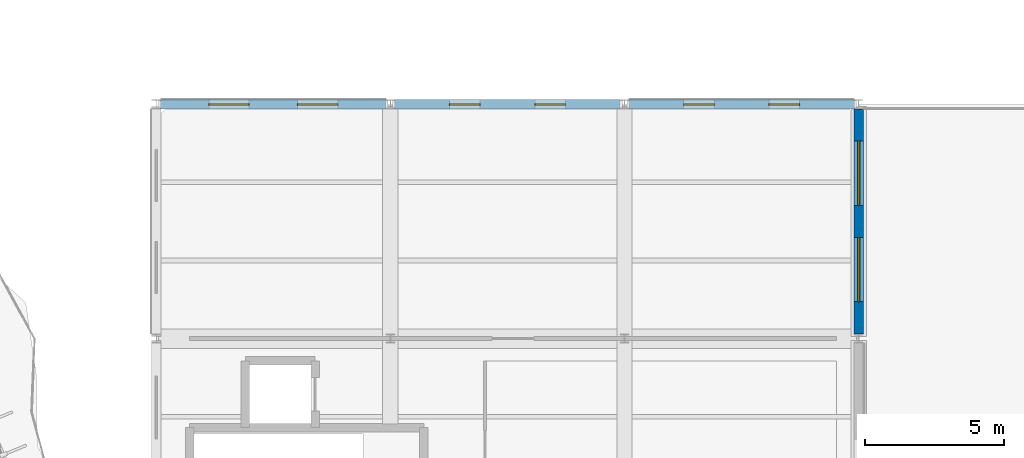
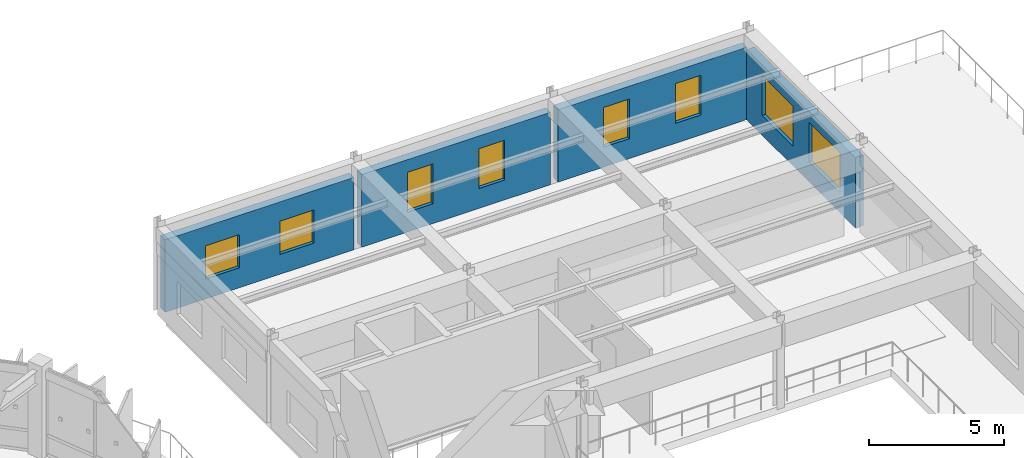
# One storey, part 97 of 114: 8 windows, 4 walls, 8 openings.
"""IFC4 building model written with IfcOpenShell, lengths in metres."""

from ifc_helpers import new_model, si_unit, direction, frame, frame_2d, origin, place, context, subcontext, project, spatial, rectangle, extrude, material, layer, layer_set, type_object, element, fill, save


model = new_model("IFC4")

# Units and contexts
model_context = context("Model", 3, precision=1e-05, world=origin(), true_north=direction((0.0, 1.0)))
body_context = subcontext(model_context, "Body", "Model", "MODEL_VIEW")
ifc_project = project(units=[si_unit("LENGTHUNIT", "METRE"), si_unit("AREAUNIT", "SQUARE_METRE"), si_unit("VOLUMEUNIT", "CUBIC_METRE"), si_unit("PLANEANGLEUNIT", "RADIAN"), si_unit("MASSUNIT", "GRAM", prefix="KILO"), si_unit("THERMODYNAMICTEMPERATUREUNIT", "KELVIN"), si_unit("POWERUNIT", "WATT")], contexts=[model_context])

# Site, building, storey
site_placement = place(None, origin())
site = spatial("IfcSite", under=ifc_project, at=site_placement, CompositionType="ELEMENT")
building_placement = place(site_placement, origin())
building = spatial("IfcBuilding", under=site, at=building_placement, Name="Darbajah Civic Hall", CompositionType="ELEMENT")
storey_placement = place(building_placement, frame((0.0, 0.0, 13.800048828125)))
storey = spatial("IfcBuildingStorey", under=building, at=storey_placement, Name="L03", CompositionType="ELEMENT", Elevation=13.800048828125)

# Wall, openings, windows
ifc_material_1 = material(Name="Qatari Desert Limestone Ashlar", Category="masonry")
ifc_layer = layer(ifc_material_1, 0.340087890625, Name="Qatari Desert Limestone Ashlar")
ifc_layer_set = layer_set([ifc_layer], Name="Qatari Desert Limestone Ashlar")
wall_type = type_object("IfcWallType", Name="Exterior Wall 340mm", PredefinedType="SOLIDWALL", material=ifc_layer_set)
wall_1_placement = place(storey_placement, frame((169.800048828125, 98.562255859375, 0.0), z_axis=(0.0, 0.0, 1.0), x_axis=(0.0, 1.0, 0.0)))
wall_1 = element("IfcWall", 1, at=wall_1_placement, inside=storey, type_object=wall_type, Name="L03 exterior wall EW-340", PredefinedType="SOLIDWALL", context=body_context, shape_type="SweptSolid", body=[
    extrude(rectangle(XDim=8.075439453125, YDim=0.340087890625, at=frame_2d((4.03759765625, 0.0))), origin(), (0.0, 0.0, 1.0), 3.179931640625),
])
opening_1_placement = place(wall_1_placement, frame((1.158447265625, 0.0, 0.89990234375)))
opening_1 = element("IfcOpeningElement", 2, at=opening_1_placement, cuts=wall_1, Name="Opening WN-22", PredefinedType="OPENING", context=body_context, shape_type="SweptSolid", body=[
    extrude(rectangle(XDim=2.300048828125, YDim=1.800048828125, at=frame_2d((1.14990234375, 0.89990234375))), frame((0.0, 0.179931640625, 0.0), z_axis=(0.0, -1.0, 0.0), x_axis=(1.0, 0.0, 0.0)), (0.0, 0.0, 1.0), 0.360107421875),
])
opening_2_placement = place(wall_1_placement, frame((4.616943359375, 0.0, 0.89990234375)))
opening_2 = element("IfcOpeningElement", 3, at=opening_2_placement, cuts=wall_1, Name="Opening WN-22", PredefinedType="OPENING", context=body_context, shape_type="SweptSolid", body=[
    extrude(rectangle(XDim=2.300048828125, YDim=1.800048828125, at=frame_2d((1.14990234375, 0.89990234375))), frame((0.0, 0.179931640625, 0.0), z_axis=(0.0, -1.0, 0.0), x_axis=(1.0, 0.0, 0.0)), (0.0, 0.0, 1.0), 0.360107421875),
])
ifc_material_2 = material(Name="Low-E Solar Control Double Glazing", Category="glass")
window_type_1 = type_object("IfcWindowType", Name="Facade Window 2300x1800", PartitioningType="DOUBLE_PANEL_VERTICAL", PredefinedType="WINDOW", material=ifc_material_2)
window_1_placement = place(opening_1_placement, origin())
window_1 = element("IfcWindow", 4, at=window_1_placement, inside=storey, type_object=window_type_1, Name="L03 facade window WN-22", OverallHeight=1.800048828125, OverallWidth=2.300048828125, PartitioningType="SINGLE_PANEL", PredefinedType="WINDOW", context=body_context, shape_type="SweptSolid", body=[
    extrude(rectangle(XDim=2.300048828125, YDim=1.800048828125, at=frame_2d((1.14990234375, 0.89990234375))), frame((0.0, 0.030029296875, 0.0), z_axis=(0.0, -1.0, 0.0), x_axis=(1.0, 0.0, 0.0)), (0.0, 0.0, 1.0), 0.06005859375),
])
fill(opening_1, window_1)
window_2_placement = place(opening_2_placement, origin())
window_2 = element("IfcWindow", 5, at=window_2_placement, inside=storey, type_object=window_type_1, Name="L03 facade window WN-22", OverallHeight=1.800048828125, OverallWidth=2.300048828125, PartitioningType="SINGLE_PANEL", PredefinedType="WINDOW", context=body_context, shape_type="SweptSolid", body=[
    extrude(rectangle(XDim=2.300048828125, YDim=1.800048828125, at=frame_2d((1.14990234375, 0.89990234375))), frame((0.0, 0.030029296875, 0.0), z_axis=(0.0, -1.0, 0.0), x_axis=(1.0, 0.0, 0.0)), (0.0, 0.0, 1.0), 0.06005859375),
])
fill(opening_2, window_2)

wall_2_placement = place(storey_placement, frame((169.643310546875, 106.800048828125, 0.0), z_axis=(0.0, 0.0, 1.0), x_axis=(-1.0, 0.0, 0.0)))
wall_2 = element("IfcWall", 6, at=wall_2_placement, inside=storey, type_object=wall_type, Name="L03 exterior wall EW-340", PredefinedType="SOLIDWALL", context=body_context, shape_type="SweptSolid", body=[
    extrude(rectangle(XDim=8.086669921875, YDim=0.340087890625, at=frame_2d((4.04345703125, 0.0))), origin(), (0.0, 0.0, 1.0), 3.280029296875),
])
opening_3_placement = place(wall_2_placement, frame((1.96240234375, 0.0, 0.89990234375)))
opening_3 = element("IfcOpeningElement", 7, at=opening_3_placement, cuts=wall_2, Name="Opening WN-17", PredefinedType="OPENING", context=body_context, shape_type="SweptSolid", body=[
    extrude(rectangle(XDim=1.10009765625, YDim=1.800048828125, at=frame_2d((0.550048828125, 0.89990234375))), frame((0.0, 0.179931640625, 0.0), z_axis=(0.0, -1.0, 0.0), x_axis=(1.0, 0.0, 0.0)), (0.0, 0.0, 1.0), 0.360107421875),
])
opening_4_placement = place(wall_2_placement, frame((5.0244140625, 0.0, 0.89990234375)))
opening_4 = element("IfcOpeningElement", 8, at=opening_4_placement, cuts=wall_2, Name="Opening WN-17", PredefinedType="OPENING", context=body_context, shape_type="SweptSolid", body=[
    extrude(rectangle(XDim=1.10009765625, YDim=1.800048828125, at=frame_2d((0.550048828125, 0.89990234375))), frame((0.0, 0.179931640625, 0.0), z_axis=(0.0, -1.0, 0.0), x_axis=(1.0, 0.0, 0.0)), (0.0, 0.0, 1.0), 0.360107421875),
])
window_type_2 = type_object("IfcWindowType", Name="Facade Window 1100x1800", PartitioningType="SINGLE_PANEL", PredefinedType="WINDOW", material=ifc_material_2)
window_3_placement = place(opening_3_placement, origin())
window_3 = element("IfcWindow", 9, at=window_3_placement, inside=storey, type_object=window_type_2, Name="L03 facade window WN-17", OverallHeight=1.800048828125, OverallWidth=1.10009765625, PartitioningType="SINGLE_PANEL", PredefinedType="WINDOW", context=body_context, shape_type="SweptSolid", body=[
    extrude(rectangle(XDim=1.10009765625, YDim=1.800048828125, at=frame_2d((0.550048828125, 0.89990234375))), frame((0.0, 0.030029296875, 0.0), z_axis=(0.0, -1.0, 0.0), x_axis=(1.0, 0.0, 0.0)), (0.0, 0.0, 1.0), 0.06005859375),
])
fill(opening_3, window_3)
window_4_placement = place(opening_4_placement, origin())
window_4 = element("IfcWindow", 10, at=window_4_placement, inside=storey, type_object=window_type_2, Name="L03 facade window WN-17", OverallHeight=1.800048828125, OverallWidth=1.10009765625, PartitioningType="SINGLE_PANEL", PredefinedType="WINDOW", context=body_context, shape_type="SweptSolid", body=[
    extrude(rectangle(XDim=1.10009765625, YDim=1.800048828125, at=frame_2d((0.550048828125, 0.89990234375))), frame((0.0, 0.030029296875, 0.0), z_axis=(0.0, -1.0, 0.0), x_axis=(1.0, 0.0, 0.0)), (0.0, 0.0, 1.0), 0.06005859375),
])
fill(opening_4, window_4)

wall_3_placement = place(storey_placement, frame((161.243408203125, 106.800048828125, 0.0), z_axis=(0.0, 0.0, 1.0), x_axis=(-1.0, 0.0, 0.0)))
wall_3 = element("IfcWall", 11, at=wall_3_placement, inside=storey, type_object=wall_type, Name="L03 exterior wall EW-340", PredefinedType="SOLIDWALL", context=body_context, shape_type="SweptSolid", body=[
    extrude(rectangle(XDim=8.0869140625, YDim=0.340087890625, at=frame_2d((4.04345703125, 0.0))), origin(), (0.0, 0.0, 1.0), 3.280029296875),
])
opening_5_placement = place(wall_3_placement, frame((1.96240234375, 0.0, 0.89990234375)))
opening_5 = element("IfcOpeningElement", 12, at=opening_5_placement, cuts=wall_3, Name="Opening WN-17", PredefinedType="OPENING", context=body_context, shape_type="SweptSolid", body=[
    extrude(rectangle(XDim=1.10009765625, YDim=1.800048828125, at=frame_2d((0.550048828125, 0.89990234375))), frame((0.0, 0.179931640625, 0.0), z_axis=(0.0, -1.0, 0.0), x_axis=(1.0, 0.0, 0.0)), (0.0, 0.0, 1.0), 0.360107421875),
])
opening_6_placement = place(wall_3_placement, frame((5.0244140625, 0.0, 0.89990234375)))
opening_6 = element("IfcOpeningElement", 13, at=opening_6_placement, cuts=wall_3, Name="Opening WN-17", PredefinedType="OPENING", context=body_context, shape_type="SweptSolid", body=[
    extrude(rectangle(XDim=1.10009765625, YDim=1.800048828125, at=frame_2d((0.550048828125, 0.89990234375))), frame((0.0, 0.179931640625, 0.0), z_axis=(0.0, -1.0, 0.0), x_axis=(1.0, 0.0, 0.0)), (0.0, 0.0, 1.0), 0.360107421875),
])
window_5_placement = place(opening_5_placement, origin())
window_5 = element("IfcWindow", 14, at=window_5_placement, inside=storey, type_object=window_type_2, Name="L03 facade window WN-17", OverallHeight=1.800048828125, OverallWidth=1.10009765625, PartitioningType="SINGLE_PANEL", PredefinedType="WINDOW", context=body_context, shape_type="SweptSolid", body=[
    extrude(rectangle(XDim=1.10009765625, YDim=1.800048828125, at=frame_2d((0.550048828125, 0.89990234375))), frame((0.0, 0.030029296875, 0.0), z_axis=(0.0, -1.0, 0.0), x_axis=(1.0, 0.0, 0.0)), (0.0, 0.0, 1.0), 0.06005859375),
])
fill(opening_5, window_5)
window_6_placement = place(opening_6_placement, origin())
window_6 = element("IfcWindow", 15, at=window_6_placement, inside=storey, type_object=window_type_2, Name="L03 facade window WN-17", OverallHeight=1.800048828125, OverallWidth=1.10009765625, PartitioningType="SINGLE_PANEL", PredefinedType="WINDOW", context=body_context, shape_type="SweptSolid", body=[
    extrude(rectangle(XDim=1.10009765625, YDim=1.800048828125, at=frame_2d((0.550048828125, 0.89990234375))), frame((0.0, 0.030029296875, 0.0), z_axis=(0.0, -1.0, 0.0), x_axis=(1.0, 0.0, 0.0)), (0.0, 0.0, 1.0), 0.06005859375),
])
fill(opening_6, window_6)

wall_4_placement = place(storey_placement, frame((152.843505859375, 106.800048828125, 0.0), z_axis=(0.0, 0.0, 1.0), x_axis=(-1.0, 0.0, 0.0)))
wall_4 = element("IfcWall", 16, at=wall_4_placement, inside=storey, type_object=wall_type, Name="L03 exterior wall EW-340", PredefinedType="SOLIDWALL", context=body_context, shape_type="SweptSolid", body=[
    extrude(rectangle(XDim=8.0869140625, YDim=0.340087890625, at=frame_2d((4.04345703125, 0.0))), origin(), (0.0, 0.0, 1.0), 3.280029296875),
])
opening_7_placement = place(wall_4_placement, frame((1.72900390625, 0.0, 0.89990234375)))
opening_7 = element("IfcOpeningElement", 17, at=opening_7_placement, cuts=wall_4, Name="Opening WN-25", PredefinedType="OPENING", context=body_context, shape_type="SweptSolid", body=[
    extrude(rectangle(XDim=1.449951171875, YDim=1.5, at=frame_2d((0.72509765625, 0.75))), frame((0.0, 0.179931640625, 0.0), z_axis=(0.0, -1.0, 0.0), x_axis=(1.0, 0.0, 0.0)), (0.0, 0.0, 1.0), 0.360107421875),
])
opening_8_placement = place(wall_4_placement, frame((4.907958984375, 0.0, 0.89990234375)))
opening_8 = element("IfcOpeningElement", 18, at=opening_8_placement, cuts=wall_4, Name="Opening WN-25", PredefinedType="OPENING", context=body_context, shape_type="SweptSolid", body=[
    extrude(rectangle(XDim=1.449951171875, YDim=1.5, at=frame_2d((0.72509765625, 0.75))), frame((0.0, 0.179931640625, 0.0), z_axis=(0.0, -1.0, 0.0), x_axis=(1.0, 0.0, 0.0)), (0.0, 0.0, 1.0), 0.360107421875),
])
window_type_3 = type_object("IfcWindowType", Name="Facade Window 1450x1500", PartitioningType="SINGLE_PANEL", PredefinedType="WINDOW", material=ifc_material_2)
window_7_placement = place(opening_7_placement, origin())
window_7 = element("IfcWindow", 19, at=window_7_placement, inside=storey, type_object=window_type_3, Name="L03 facade window WN-25", OverallHeight=1.5, OverallWidth=1.449951171875, PartitioningType="SINGLE_PANEL", PredefinedType="WINDOW", context=body_context, shape_type="SweptSolid", body=[
    extrude(rectangle(XDim=1.449951171875, YDim=1.5, at=frame_2d((0.72509765625, 0.75))), frame((0.0, 0.030029296875, 0.0), z_axis=(0.0, -1.0, 0.0), x_axis=(1.0, 0.0, 0.0)), (0.0, 0.0, 1.0), 0.06005859375),
])
fill(opening_7, window_7)
window_8_placement = place(opening_8_placement, origin())
window_8 = element("IfcWindow", 20, at=window_8_placement, inside=storey, type_object=window_type_3, Name="L03 facade window WN-25", OverallHeight=1.5, OverallWidth=1.449951171875, PartitioningType="SINGLE_PANEL", PredefinedType="WINDOW", context=body_context, shape_type="SweptSolid", body=[
    extrude(rectangle(XDim=1.449951171875, YDim=1.5, at=frame_2d((0.72509765625, 0.75))), frame((0.0, 0.030029296875, 0.0), z_axis=(0.0, -1.0, 0.0), x_axis=(1.0, 0.0, 0.0)), (0.0, 0.0, 1.0), 0.06005859375),
])
fill(opening_8, window_8)

save(model, "model.ifc")
